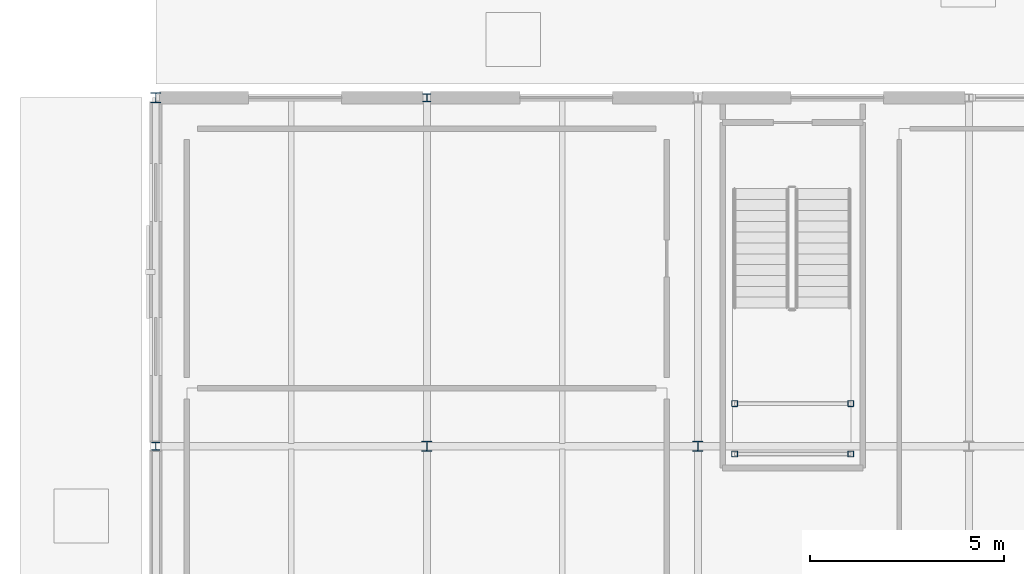
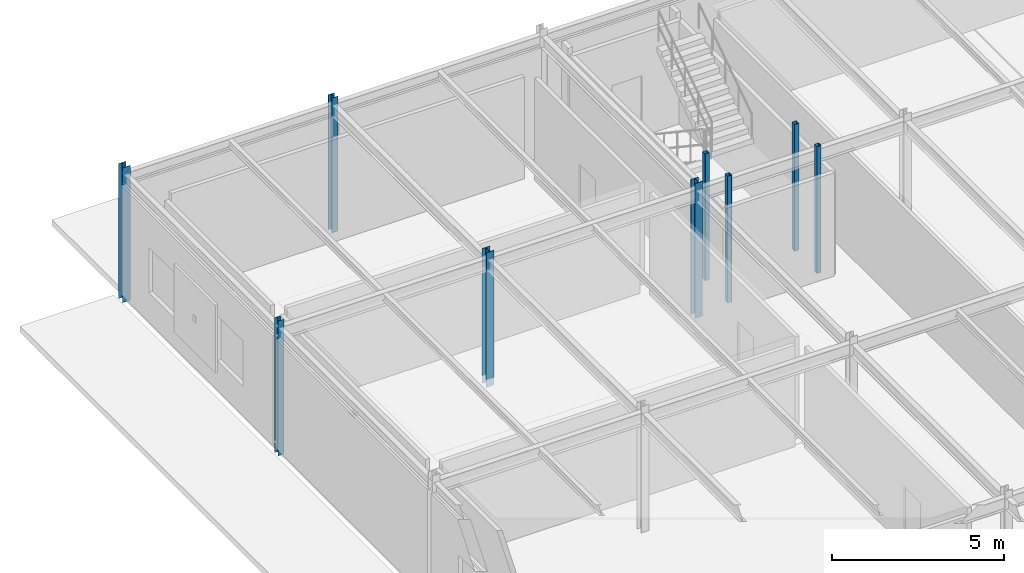
# One storey, part 13 of 119: 9 columns.
"""IFC4 building model written with IfcOpenShell, lengths in metres."""

from ifc_helpers import new_model, si_unit, derived_unit, direction, frame, origin, origin_2d_with_axis, place, context, subcontext, project, spatial, hollow_rectangle, i_section, extrude, material, material_profile, profile_set, type_object, element, save


model = new_model("IFC4")

# Units and contexts
model_context = context("Model", 3, precision=1e-05, world=origin(), true_north=direction((0.0, 1.0)))
body_context = subcontext(model_context, "Body", "Model", "MODEL_VIEW")
ifc_project = project(units=[si_unit("LENGTHUNIT", "METRE"), si_unit("AREAUNIT", "SQUARE_METRE"), si_unit("VOLUMEUNIT", "CUBIC_METRE"), si_unit("PLANEANGLEUNIT", "RADIAN"), si_unit("MASSUNIT", "GRAM", prefix="KILO"), derived_unit("THERMALTRANSMITTANCEUNIT", [(si_unit("POWERUNIT", "WATT"), 1), (si_unit("LENGTHUNIT", "METRE"), -2), (si_unit("THERMODYNAMICTEMPERATUREUNIT", "KELVIN"), -1)])], contexts=[model_context])

# Site, building, storey
site_placement = place(None, origin())
site = spatial("IfcSite", under=ifc_project, at=site_placement, CompositionType="ELEMENT")
building_placement = place(site_placement, origin())
building = spatial("IfcBuilding", under=site, at=building_placement, Name="Cinnabar Yard Market Hall", CompositionType="ELEMENT")
storey_placement = place(building_placement, origin())
storey = spatial("IfcBuildingStorey", under=building, at=storey_placement, Name="L00", CompositionType="ELEMENT", Elevation=0.0)

# Columns
ifc_material_1 = material(Name="Steel Grade 300 (300 MPa)", Category="steel")
ifc_material_profile_1 = material_profile(ifc_material_1, i_section(OverallWidth=0.256103515625, OverallDepth=0.260009765625, WebThickness=0.010498046875, FlangeThickness=0.017333984375, FilletRadius=0.013916015625, at=origin_2d_with_axis()), Name="250UC89.5")
ifc_profile_set_1 = profile_set([ifc_material_profile_1], Name="Steel Grade 300 (300 MPa)")
column_type_1 = type_object("IfcColumnType", Name="COL-C10", PredefinedType="COLUMN", material=ifc_profile_set_1)
for number, where, z_axis, x_axis, name in (
    (1, (17.0, 75.0, -0.280029296875), (0.0, 0.0, 1.0), (1.0, 0.0, 0.0), "Pavilion Column V2-02-04 L00"),
    (2, (24.0, 75.0, -0.280029296875), (0.0, 0.0, 1.0), (1.0, 0.0, 0.0), "Pavilion Column V2-03-04 L00"),
):
    element("IfcColumn", number, at=place(storey_placement, frame(where, z_axis=z_axis, x_axis=x_axis)), inside=storey, type_object=column_type_1, Name=name, PredefinedType="COLUMN", context=body_context, shape_type="SweptSolid", body=[
        extrude(i_section(OverallWidth=0.256103515625, OverallDepth=0.260009765625, WebThickness=0.010498046875, FlangeThickness=0.017333984375, FilletRadius=0.013916015625, at=origin_2d_with_axis()), origin(), (0.0, 0.0, 1.0), 4.780029296875),
    ])
ifc_material_profile_2 = material_profile(ifc_material_1, i_section(OverallWidth=0.25390625, OverallDepth=0.25390625, WebThickness=0.008544921875, FlangeThickness=0.01416015625, FilletRadius=0.013916015625, at=origin_2d_with_axis()), Name="250UC72.9")
ifc_profile_set_2 = profile_set([ifc_material_profile_2], Name="Steel Grade 300 (300 MPa)")
column_type_2 = type_object("IfcColumnType", Name="COL-C11E", PredefinedType="COLUMN", material=ifc_profile_set_2)
column_placement = place(storey_placement, frame((10.0, 84.0, -0.280029296875), z_axis=(0.0, 0.0, 1.0), x_axis=(1.0, 0.0, 0.0)))
element("IfcColumn", 3, at=column_placement, inside=storey, type_object=column_type_2, Name="Pavilion Column V2-01-05 L00", PredefinedType="COLUMN", context=body_context, shape_type="SweptSolid", body=[
    extrude(i_section(OverallWidth=0.25390625, OverallDepth=0.25390625, WebThickness=0.008544921875, FlangeThickness=0.01416015625, FilletRadius=0.013916015625, at=origin_2d_with_axis()), origin(), (0.0, 0.0, 1.0), 4.780029296875),
])
ifc_material_profile_3 = material_profile(ifc_material_1, i_section(OverallWidth=0.205078125, OverallDepth=0.209716796875, WebThickness=0.00927734375, FlangeThickness=0.01416015625, FilletRadius=0.011474609375, at=origin_2d_with_axis()), Name="200UC59.5")
ifc_profile_set_3 = profile_set([ifc_material_profile_3], Name="Steel Grade 300 (300 MPa)")
column_type_3 = type_object("IfcColumnType", Name="COL-C12E", PredefinedType="COLUMN", material=ifc_profile_set_3)
for number, where, z_axis, x_axis, name in (
    (4, (10.0, 75.0, -0.280029296875), (0.0, 0.0, 1.0), (1.0, 0.0, 0.0), "Pavilion Column V2-01-04 L00"),
    (5, (17.0, 84.0, -0.280029296875), (0.0, 0.0, 1.0), (1.0, 0.0, 0.0), "Pavilion Column V2-02-05 L00"),
):
    element("IfcColumn", number, at=place(storey_placement, frame(where, z_axis=z_axis, x_axis=x_axis)), inside=storey, type_object=column_type_3, Name=name, PredefinedType="COLUMN", context=body_context, shape_type="SweptSolid", body=[
        extrude(i_section(OverallWidth=0.205078125, OverallDepth=0.209716796875, WebThickness=0.00927734375, FlangeThickness=0.01416015625, FilletRadius=0.011474609375, at=origin_2d_with_axis()), origin(), (0.0, 0.0, 1.0), 4.780029296875),
    ])
ifc_material_2 = material(Name="Cold-formed steel C350L0", Category="steel")
ifc_material_profile_4 = material_profile(ifc_material_2, hollow_rectangle(XDim=0.14990234375, YDim=0.14990234375, WallThickness=0.006103515625, InnerFilletRadius=0.006103515625, OuterFilletRadius=0.011962890625, at=origin_2d_with_axis()), Name="150x150x6.0SHS")
ifc_profile_set_4 = profile_set([ifc_material_profile_4], Name="Cold-formed steel C350L0")
column_type_4 = type_object("IfcColumnType", Name="COL-C16", PredefinedType="COLUMN", material=ifc_profile_set_4)
for number, where, z_axis, x_axis, name in (
    (6, (24.949951171875, 74.800048828125, 0.0), (0.0, 0.0, 1.0), (1.0, 0.0, 0.0), "Feature Stair Post ST-F3-1 L00"),
    (7, (27.949951171875, 74.800048828125, 0.0), (0.0, 0.0, 1.0), (1.0, 0.0, 0.0), "Feature Stair Post ST-F3-2 L00"),
    (8, (24.949951171875, 76.10009765625, 0.0), (0.0, 0.0, 1.0), (1.0, 0.0, 0.0), "Feature Stair Post ST-F3-3 L00"),
    (9, (27.949951171875, 76.10009765625, 0.0), (0.0, 0.0, 1.0), (1.0, 0.0, 0.0), "Feature Stair Post ST-F3-4 L00"),
):
    element("IfcColumn", number, at=place(storey_placement, frame(where, z_axis=z_axis, x_axis=x_axis)), inside=storey, type_object=column_type_4, Name=name, PredefinedType="COLUMN", context=body_context, shape_type="SweptSolid", body=[
        extrude(hollow_rectangle(XDim=0.14990234375, YDim=0.14990234375, WallThickness=0.006103515625, InnerFilletRadius=0.006103515625, OuterFilletRadius=0.011962890625, at=origin_2d_with_axis()), origin(), (0.0, 0.0, 1.0), 4.5),
    ])

save(model, "model.ifc")
